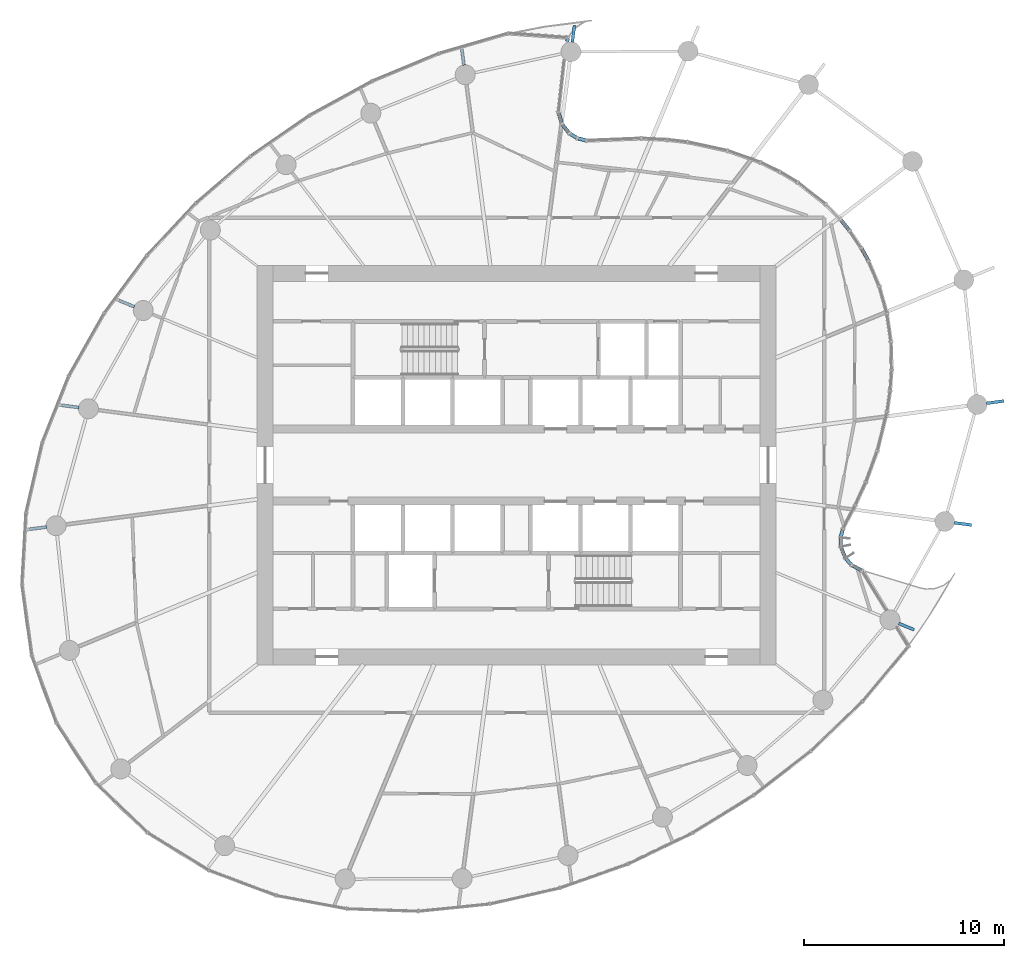
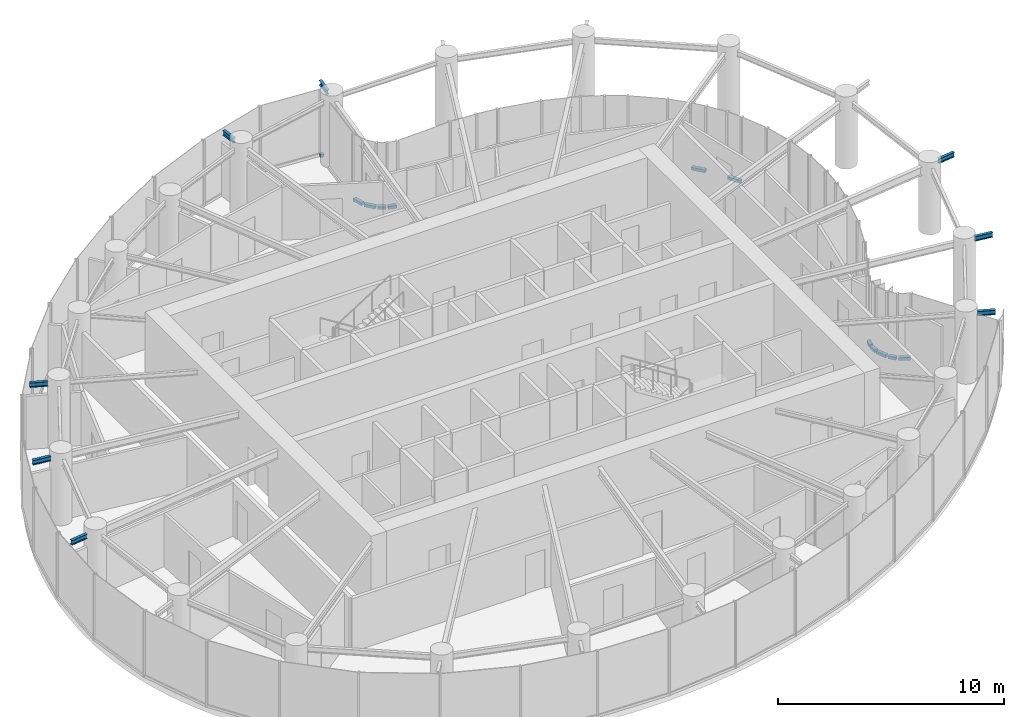
# One storey, part 8 of 19: 12 members, 8 beams, 5 elements without a shape of their own.
"""IFC4 building model written with IfcOpenShell, lengths in metres."""

from ifc_helpers import new_model, si_unit, direction, frame, origin, origin_2d, place, context, subcontext, project, spatial, rectangle, i_section, extrude, source, transform, mapped, material, layer, layer_set, material_profile, profile_set, type_object, element, aggregate, save


model = new_model("IFC4")

# Units and contexts
model_context = context("Model", 3, precision=1e-05, world=origin(), true_north=direction((0.0, 1.0)))
body_context = subcontext(model_context, "Body", "Model", "MODEL_VIEW")
ifc_project = project(units=[si_unit("LENGTHUNIT", "METRE"), si_unit("AREAUNIT", "SQUARE_METRE"), si_unit("VOLUMEUNIT", "CUBIC_METRE"), si_unit("PLANEANGLEUNIT", "RADIAN"), si_unit("MASSUNIT", "GRAM", prefix="KILO")], contexts=[model_context])

# Site, building, storey
site_placement = place(None, origin())
site = spatial("IfcSite", under=ifc_project, at=site_placement, CompositionType="ELEMENT")
building_placement = place(site_placement, origin())
building = spatial("IfcBuilding", under=site, at=building_placement, Name="Spindrift Exchange Tower", CompositionType="ELEMENT")
storey_placement = place(building_placement, frame((0.0, 0.0, 137.0)))
storey = spatial("IfcBuildingStorey", under=building, at=storey_placement, Name="L32", CompositionType="ELEMENT", Elevation=137.0)

# Beams
ifc_material_1 = material(Name="Steel Grade 300", Category="steel")
ifc_material_profile_1 = material_profile(ifc_material_1, i_section(OverallWidth=0.14599609375, OverallDepth=0.251953125, WebThickness=0.006103515625, FlangeThickness=0.008544921875, FilletRadius=0.011962890625, at=origin_2d()), Name="250UB31.4")
ifc_profile_set_1 = profile_set([ifc_material_profile_1], Name="Steel Grade 300")
beam_type = type_object("IfcBeamType", Name="Cantilever Beam 250UB31.4 Steel Grade 300", PredefinedType="BEAM", material=ifc_profile_set_1)
shared_shape_1 = source(origin(), body_context, "Body", "SweptSolid", [
    extrude(i_section(OverallWidth=0.14599609375, OverallDepth=0.251953125, WebThickness=0.006103515625, FlangeThickness=0.008544921875, FilletRadius=0.011962890625, at=origin_2d()), origin(), (0.0, 0.0, 1.0), 0.869873046875),
])
for number, where, z_axis, x_axis, name in (
    (1, (75.537841796875, 51.098876953125, 3.4541015625), (0.991449519089, 0.130490808485, 0.0), (-0.130490808485, 0.991449519089, 0.0), "L32 cantilever beam R01T"),
    (2, (28.462158203125, 44.901123046875, 3.4541015625), (-0.991449519089, -0.130490808485, 0.0), (0.130490808485, -0.991449519089, 0.0), "L32 cantilever beam R13T"),
):
    element("IfcBeam", number, at=place(storey_placement, frame(where, z_axis=z_axis, x_axis=x_axis)), inside=storey, type_object=beam_type, Name=name, PredefinedType="BEAM", context=body_context, shape_type="MappedRepresentation", body=[
        mapped(shared_shape_1, transform((0.0, 0.0, 0.0), scale=1.0)),
    ])
shared_shape_2 = source(origin(), body_context, "Body", "SweptSolid", [
    extrude(i_section(OverallWidth=0.14599609375, OverallDepth=0.251953125, WebThickness=0.006103515625, FlangeThickness=0.008544921875, FilletRadius=0.011962890625, at=origin_2d()), origin(), (0.0, 0.0, 1.0), 0.84765625),
])
beam_1_placement = place(storey_placement, frame((54.78857421875, 69.18115234375, 3.4541015625), z_axis=(0.130484317017, 0.991450373449, 0.0), x_axis=(-0.991450373449, 0.130484317017, 0.0)))
element("IfcBeam", 3, at=beam_1_placement, inside=storey, type_object=beam_type, Name="L32 cantilever beam R06T", PredefinedType="BEAM", context=body_context, shape_type="MappedRepresentation", body=[
    mapped(shared_shape_2, transform((0.0, 0.0, 0.0), scale=1.0)),
])
shared_shape_3 = source(origin(), body_context, "Body", "SweptSolid", [
    extrude(i_section(OverallWidth=0.14599609375, OverallDepth=0.251953125, WebThickness=0.006103515625, FlangeThickness=0.008544921875, FilletRadius=0.011962890625, at=origin_2d()), origin(), (0.0, 0.0, 1.0), 0.78857421875),
])
beam_2_placement = place(storey_placement, frame((49.36328125, 68.027099609375, 3.4541015625), z_axis=(-0.130358395014, 0.99146693785, 0.0), x_axis=(-0.99146693785, -0.130358395014, 0.0)))
element("IfcBeam", 4, at=beam_2_placement, inside=storey, type_object=beam_type, Name="L32 cantilever beam R07T", PredefinedType="BEAM", context=body_context, shape_type="MappedRepresentation", body=[
    mapped(shared_shape_3, transform((0.0, 0.0, 0.0), scale=1.0)),
])
shared_shape_4 = source(origin(), body_context, "Body", "SweptSolid", [
    extrude(i_section(OverallWidth=0.14599609375, OverallDepth=0.251953125, WebThickness=0.006103515625, FlangeThickness=0.008544921875, FilletRadius=0.011962890625, at=origin_2d()), origin(), (0.0, 0.0, 1.0), 0.8251953125),
])
for number, where, z_axis, x_axis, name in (
    (5, (32.857177734375, 55.92919921875, 3.4541015625), (-0.923836536704, 0.382787216937, 0.0), (-0.382787216937, -0.923836536704, 0.0), "L32 cantilever beam R11T"),
    (6, (71.142822265625, 40.07080078125, 3.4541015625), (0.923836536704, -0.382787216937, 0.0), (0.382787216937, 0.923836536704, 0.0), "L32 cantilever beam R23T"),
):
    element("IfcBeam", number, at=place(storey_placement, frame(where, z_axis=z_axis, x_axis=x_axis)), inside=storey, type_object=beam_type, Name=name, PredefinedType="BEAM", context=body_context, shape_type="MappedRepresentation", body=[
        mapped(shared_shape_4, transform((0.0, 0.0, 0.0), scale=1.0)),
    ])
shared_shape_5 = source(origin(), body_context, "Body", "SweptSolid", [
    extrude(i_section(OverallWidth=0.14599609375, OverallDepth=0.251953125, WebThickness=0.006103515625, FlangeThickness=0.008544921875, FilletRadius=0.011962890625, at=origin_2d()), origin(), (0.0, 0.0, 1.0), 0.8759765625),
])
for number, where, z_axis, x_axis, name in (
    (7, (30.0830078125, 50.885498046875, 3.4541015625), (-0.991455244235, 0.130447302306, 0.0), (-0.130447302306, -0.991455244235, 0.0), "L32 cantilever beam R12T"),
    (8, (73.9169921875, 45.114501953125, 3.4541015625), (0.991455244235, -0.130447302306, 0.0), (0.130447302306, 0.991455244235, 0.0), "L32 cantilever beam R24T"),
):
    element("IfcBeam", number, at=place(storey_placement, frame(where, z_axis=z_axis, x_axis=x_axis)), inside=storey, type_object=beam_type, Name=name, PredefinedType="BEAM", context=body_context, shape_type="MappedRepresentation", body=[
        mapped(shared_shape_5, transform((0.0, 0.0, 0.0), scale=1.0)),
    ])

# Curtain wall, member
ifc_material_2 = material(Name="Fritted laminated glass with bronze frame", Category="glass")
ifc_layer = layer(ifc_material_2, 0.199951171875)
ifc_layer_set = layer_set([ifc_layer], Name="SKY GARDEN BRONZE GLAZED WALL")
curtain_wall_type = type_object("IfcCurtainWallType", Name="SKY GARDEN BRONZE GLAZED WALL", PredefinedType="NOTDEFINED", material=ifc_layer_set)
curtain_wall_1_placement = place(storey_placement, origin())
curtain_wall_1 = element("IfcCurtainWall", 9, at=curtain_wall_1_placement, inside=storey, type_object=curtain_wall_type, Name="L32 Sky Garden Bronze Glazed Wall run 6", PredefinedType="NOTDEFINED")
ifc_material_3 = material(Name="Bronze anodised aluminium", Category="aluminium")
ifc_material_profile_2 = material_profile(ifc_material_3, rectangle(XDim=0.179931640625, YDim=0.14990234375, at=origin_2d()), Name="SKY GARDEN BRONZE GLAZED WALL TRANSOM 180X150")
ifc_profile_set_2 = profile_set([ifc_material_profile_2], Name="Bronze anodised aluminium")
member_type = type_object("IfcMemberType", Name="SKY GARDEN BRONZE GLAZED WALL TRANSOM 180X150", PredefinedType="USERDEFINED", material=ifc_profile_set_2)
shared_shape_6 = source(origin(), body_context, "Body", "SweptSolid", [
    extrude(rectangle(XDim=0.179931640625, YDim=0.14990234375, at=origin_2d()), origin(), (0.0, 0.0, 1.0), 0.380615234375),
])
member_1_placement = place(storey_placement, frame((68.752197265625, 43.0283203125, 0.074951171875), z_axis=(-0.666907318496, 0.745140677011, 0.0), x_axis=(-0.745140677011, -0.666907318496, 0.0)))
member_1 = element("IfcMember", 10, at=member_1_placement, type_object=member_type, Name="L32 transom CW-G.30", ObjectType="TRANSOM", PredefinedType="USERDEFINED", context=body_context, shape_type="MappedRepresentation", body=[
    mapped(shared_shape_6, transform((0.0, 0.0, 0.0), scale=1.0)),
])

curtain_wall_2_placement = place(storey_placement, origin())
curtain_wall_2 = element("IfcCurtainWall", 11, at=curtain_wall_2_placement, inside=storey, type_object=curtain_wall_type, Name="L32 Sky Garden Bronze Glazed Wall run 10", PredefinedType="NOTDEFINED")
shared_shape_7 = source(origin(), body_context, "Body", "SweptSolid", [
    extrude(rectangle(XDim=0.179931640625, YDim=0.14990234375, at=origin_2d()), origin(), (0.0, 0.0, 1.0), 0.375732421875),
])
member_2_placement = place(storey_placement, frame((55.005859375, 64.395263671875, 0.074951171875), z_axis=(-0.853570736837, 0.520976964188, 0.0), x_axis=(-0.520976964188, -0.853570736837, 0.0)))
member_2 = element("IfcMember", 12, at=member_2_placement, type_object=member_type, Name="L32 transom CW-G.57", ObjectType="TRANSOM", PredefinedType="USERDEFINED", context=body_context, shape_type="MappedRepresentation", body=[
    mapped(shared_shape_7, transform((0.0, 0.0, 0.0), scale=1.0)),
])

curtain_wall_3_placement = place(storey_placement, origin())
curtain_wall_3 = element("IfcCurtainWall", 13, at=curtain_wall_3_placement, inside=storey, type_object=curtain_wall_type, Name="L32 Sky Garden Bronze Glazed Wall run 9", PredefinedType="NOTDEFINED")
shared_shape_8 = source(origin(), body_context, "Body", "SweptSolid", [
    extrude(rectangle(XDim=0.179931640625, YDim=0.14990234375, at=origin_2d()), origin(), (0.0, 0.0, 1.0), 0.65087890625),
])
member_3_placement = place(storey_placement, frame((68.656982421875, 59.770263671875, 0.074951171875), z_axis=(-0.632665798374, 0.774424939918, 0.0), x_axis=(-0.774424939918, -0.632665798374, 0.0)))
member_3 = element("IfcMember", 14, at=member_3_placement, type_object=member_type, Name="L32 transom CW-G.46", ObjectType="TRANSOM", PredefinedType="USERDEFINED", context=body_context, shape_type="MappedRepresentation", body=[
    mapped(shared_shape_8, transform((0.0, 0.0, 0.0), scale=1.0)),
])
aggregate(curtain_wall_3, [member_3])

# Curtain wall, members
curtain_wall_4_placement = place(storey_placement, origin())
curtain_wall_4 = element("IfcCurtainWall", 15, at=curtain_wall_4_placement, inside=storey, type_object=curtain_wall_type, Name="L32 Sky Garden Bronze Glazed Wall run 11", PredefinedType="NOTDEFINED")
shared_shape_9 = source(origin(), body_context, "Body", "SweptSolid", [
    extrude(rectangle(XDim=0.179931640625, YDim=0.14990234375, at=origin_2d()), origin(), (0.0, 0.0, 1.0), 0.527587890625),
])
member_4_placement = place(storey_placement, frame((54.6220703125, 64.646484375, 0.074951171875), z_axis=(-0.624807924121, 0.780778494809, 0.0), x_axis=(-0.780778494809, -0.624807924121, 0.0)))
member_4 = element("IfcMember", 16, at=member_4_placement, type_object=member_type, Name="L32 transom CW-G.58", ObjectType="TRANSOM", PredefinedType="USERDEFINED", context=body_context, shape_type="MappedRepresentation", body=[
    mapped(shared_shape_9, transform((0.0, 0.0, 0.0), scale=1.0)),
])
shared_shape_10 = source(origin(), body_context, "Body", "SweptSolid", [
    extrude(rectangle(XDim=0.179931640625, YDim=0.14990234375, at=origin_2d()), origin(), (0.0, 0.0, 1.0), 0.52783203125),
])
member_5_placement = place(storey_placement, frame((54.25439453125, 65.13232421875, 0.074951171875), z_axis=(-0.273865625532, 0.961767965339, 0.0), x_axis=(-0.961767965339, -0.273865625532, 0.0)))
member_5 = element("IfcMember", 17, at=member_5_placement, type_object=member_type, Name="L32 transom CW-G.59", ObjectType="TRANSOM", PredefinedType="USERDEFINED", context=body_context, shape_type="MappedRepresentation", body=[
    mapped(shared_shape_10, transform((0.0, 0.0, 0.0), scale=1.0)),
])

# Member
shared_shape_11 = source(origin(), body_context, "Body", "SweptSolid", [
    extrude(rectangle(XDim=0.179931640625, YDim=0.14990234375, at=origin_2d()), origin(), (0.0, 0.0, 1.0), 0.525146484375),
])
member_6_placement = place(storey_placement, frame((69.281005859375, 42.728515625, 0.074951171875), z_axis=(-0.881424675214, 0.472324614988, 0.0), x_axis=(-0.472324614988, -0.881424675214, 0.0)))
member_6 = element("IfcMember", 18, at=member_6_placement, type_object=member_type, Name="L32 transom CW-G.29", ObjectType="TRANSOM", PredefinedType="USERDEFINED", context=body_context, shape_type="MappedRepresentation", body=[
    mapped(shared_shape_11, transform((0.0, 0.0, 0.0), scale=1.0)),
])

shared_shape_12 = source(origin(), body_context, "Body", "SweptSolid", [
    extrude(rectangle(XDim=0.179931640625, YDim=0.14990234375, at=origin_2d()), origin(), (0.0, 0.0, 1.0), 0.5224609375),
])
member_7_placement = place(storey_placement, frame((68.4541015625, 43.38330078125, 0.074951171875), z_axis=(-0.372437835854, 0.928057141788, 0.0), x_axis=(-0.928057141788, -0.372437835854, 0.0)))
member_7 = element("IfcMember", 19, at=member_7_placement, type_object=member_type, Name="L32 transom CW-G.31", ObjectType="TRANSOM", PredefinedType="USERDEFINED", context=body_context, shape_type="MappedRepresentation", body=[
    mapped(shared_shape_12, transform((0.0, 0.0, 0.0), scale=1.0)),
])

shared_shape_13 = source(origin(), body_context, "Body", "SweptSolid", [
    extrude(rectangle(XDim=0.179931640625, YDim=0.14990234375, at=origin_2d()), origin(), (0.0, 0.0, 1.0), 0.380859375),
])
member_8_placement = place(storey_placement, frame((68.2421875, 43.9501953125, 0.074951171875), z_axis=(-0.033976523064, 0.999422631263, 0.0), x_axis=(-0.999422631263, -0.033976523064, 0.0)))
member_8 = element("IfcMember", 20, at=member_8_placement, type_object=member_type, Name="L32 transom CW-G.32", ObjectType="TRANSOM", PredefinedType="USERDEFINED", context=body_context, shape_type="MappedRepresentation", body=[
    mapped(shared_shape_13, transform((0.0, 0.0, 0.0), scale=1.0)),
])

member_9_placement = place(storey_placement, frame((55.452392578125, 64.26953125, 0.074951171875), z_axis=(-0.969535988447, 0.244948907134, 0.0), x_axis=(-0.244948907134, -0.969535988447, 0.0)))
member_9 = element("IfcMember", 21, at=member_9_placement, type_object=member_type, Name="L32 transom CW-G.56", ObjectType="TRANSOM", PredefinedType="USERDEFINED", context=body_context, shape_type="MappedRepresentation", body=[
    mapped(shared_shape_13, transform((0.0, 0.0, 0.0), scale=1.0)),
])

aggregate(curtain_wall_2, [member_9, member_2])

shared_shape_14 = source(origin(), body_context, "Body", "SweptSolid", [
    extrude(rectangle(XDim=0.179931640625, YDim=0.14990234375, at=origin_2d()), origin(), (0.0, 0.0, 1.0), 0.37548828125),
])
member_10_placement = place(storey_placement, frame((68.239013671875, 44.414306640625, 0.074951171875), z_axis=(0.263282422265, 0.964718801582, 0.0), x_axis=(-0.964718801582, 0.263282422265, 0.0)))
member_10 = element("IfcMember", 22, at=member_10_placement, type_object=member_type, Name="L32 transom CW-G.33", ObjectType="TRANSOM", PredefinedType="USERDEFINED", context=body_context, shape_type="MappedRepresentation", body=[
    mapped(shared_shape_14, transform((0.0, 0.0, 0.0), scale=1.0)),
])

aggregate(curtain_wall_1, [member_6, member_1, member_7, member_8, member_10])

# Curtain wall, member
curtain_wall_5_placement = place(storey_placement, origin())
curtain_wall_5 = element("IfcCurtainWall", 23, at=curtain_wall_5_placement, inside=storey, type_object=curtain_wall_type, Name="L32 Sky Garden Bronze Glazed Wall run 8", PredefinedType="NOTDEFINED")
shared_shape_15 = source(origin(), body_context, "Body", "SweptSolid", [
    extrude(rectangle(XDim=0.179931640625, YDim=0.14990234375, at=origin_2d()), origin(), (0.0, 0.0, 1.0), 0.651123046875),
])
member_11_placement = place(storey_placement, frame((69.605712890625, 58.27099609375, 0.074951171875), z_axis=(-0.486661283651, 0.873590748002, 0.0), x_axis=(-0.873590748002, -0.486661283651, 0.0)))
member_11 = element("IfcMember", 24, at=member_11_placement, type_object=member_type, Name="L32 transom CW-G.44", ObjectType="TRANSOM", PredefinedType="USERDEFINED", context=body_context, shape_type="MappedRepresentation", body=[
    mapped(shared_shape_15, transform((0.0, 0.0, 0.0), scale=1.0)),
])
aggregate(curtain_wall_5, [member_11])

# Member
shared_shape_16 = source(origin(), body_context, "Body", "SweptSolid", [
    extrude(rectangle(XDim=0.179931640625, YDim=0.14990234375, at=origin_2d()), origin(), (0.0, 0.0, 1.0), 0.155029296875),
])
member_12_placement = place(storey_placement, frame((54.5302734375, 69.2216796875, 0.074951171875), z_axis=(0.264716981781, 0.964326147917, 0.0), x_axis=(-0.964326147917, 0.264716981781, 0.0)))
member_12 = element("IfcMember", 25, at=member_12_placement, type_object=member_type, Name="L32 transom CW-G.61", ObjectType="TRANSOM", PredefinedType="USERDEFINED", context=body_context, shape_type="MappedRepresentation", body=[
    mapped(shared_shape_16, transform((0.0, 0.0, 0.0), scale=1.0)),
])

aggregate(curtain_wall_4, [member_4, member_5, member_12])

save(model, "model.ifc")
